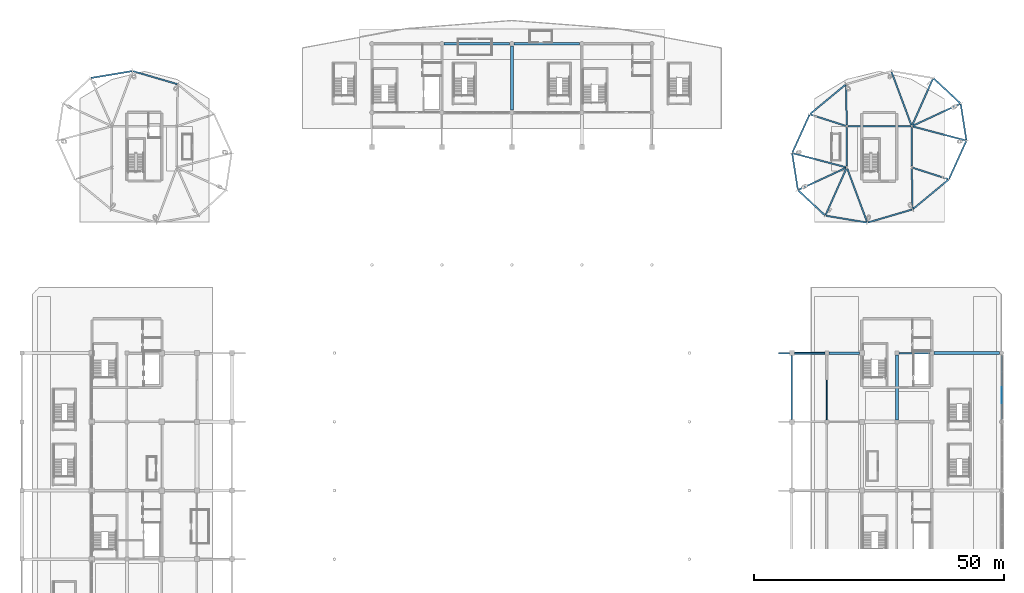
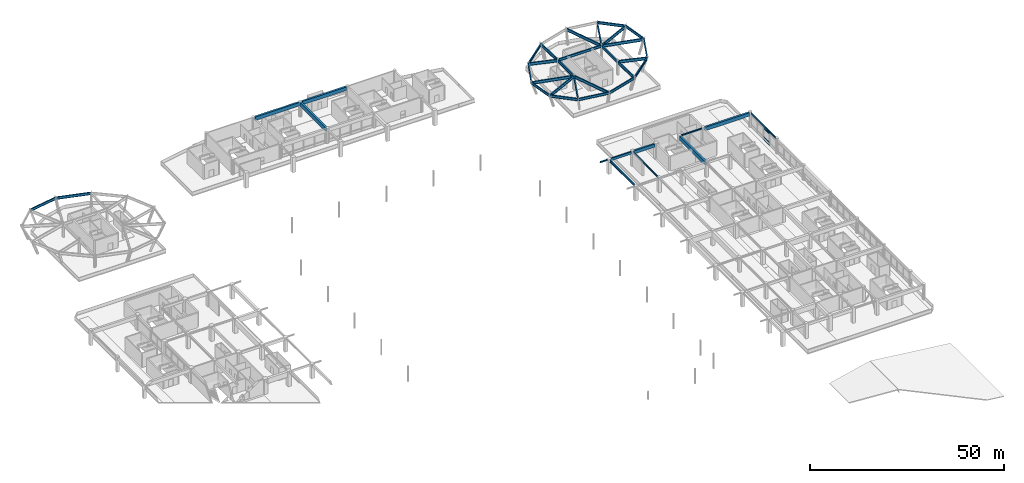
# One storey, part 47 of 91: 39 beams, 3 members, 1 element without a shape of its own.
"""IFC4 building model written with IfcOpenShell, lengths in metres."""

from ifc_helpers import new_model, si_unit, direction, frame, origin, origin_2d, place, context, subcontext, project, spatial, rectangle, hollow_rectangle, i_section, extrude, material, material_profile, profile_set, type_object, element, aggregate, save


model = new_model("IFC4")

# Units and contexts
model_context = context("Model", 3, precision=1e-05, world=origin(), true_north=direction((0.0, 1.0)))
body_context = subcontext(model_context, "Body", "Model", "MODEL_VIEW")
ifc_project = project(units=[si_unit("LENGTHUNIT", "METRE"), si_unit("AREAUNIT", "SQUARE_METRE"), si_unit("VOLUMEUNIT", "CUBIC_METRE"), si_unit("PLANEANGLEUNIT", "RADIAN"), si_unit("MASSUNIT", "GRAM", prefix="KILO")], contexts=[model_context])

# Site, building, storey
site_placement = place(None, origin())
site = spatial("IfcSite", under=ifc_project, at=site_placement, CompositionType="ELEMENT")
building_placement = place(site_placement, origin())
building = spatial("IfcBuilding", under=site, at=building_placement, Name="Linyun Crest Stadium", CompositionType="ELEMENT")
storey_placement = place(building_placement, frame((0.0, 0.0, 11.39990234375)))
storey = spatial("IfcBuildingStorey", under=building, at=storey_placement, Name="L03", CompositionType="ELEMENT", Elevation=11.39990234375)

# Beams
ifc_material_1 = material(Name="Concrete C40", Category="concrete")
ifc_material_profile_1 = material_profile(ifc_material_1, rectangle(XDim=0.39990234375, YDim=0.75, at=origin_2d()), Name="RCB 750x400")
ifc_profile_set_1 = profile_set([ifc_material_profile_1], Name="Concrete C40")
beam_type_1 = type_object("IfcBeamType", Name="B03", PredefinedType="BEAM", material=ifc_profile_set_1)
beam_1_placement = place(storey_placement, frame((56.5, 43.375, 4.1650390625), z_axis=(1.0, 0.0, 0.0), x_axis=(0.0, 1.0, 0.0)))
element("IfcBeam", 1, at=beam_1_placement, inside=storey, type_object=beam_type_1, Name="Frame beam B03 L03 631", PredefinedType="BEAM", context=body_context, shape_type="SweptSolid", body=[
    extrude(rectangle(XDim=0.39990234375, YDim=0.75, at=origin_2d()), origin(), (0.0, 0.0, 1.0), 6.10009765625),
])
ifc_material_2 = material(Name="Concrete C40", Category="concrete")
ifc_material_profile_2 = material_profile(ifc_material_2, rectangle(XDim=0.5, YDim=1.0, at=origin_2d()), Name="RCB 1000x500")
ifc_profile_set_2 = profile_set([ifc_material_profile_2], Name="Concrete C40")
beam_type_2 = type_object("IfcBeamType", Name="B05", PredefinedType="BEAM", material=ifc_profile_set_2)
beam_2_placement = place(storey_placement, frame((63.39990234375, 43.375, 4.080078125), z_axis=(1.0, 0.0, 0.0), x_axis=(0.0, 1.0, 0.0)))
element("IfcBeam", 2, at=beam_2_placement, inside=storey, type_object=beam_type_2, Name="Frame beam B05 L03 632", PredefinedType="BEAM", context=body_context, shape_type="SweptSolid", body=[
    extrude(rectangle(XDim=0.5, YDim=1.0, at=origin_2d()), origin(), (0.0, 0.0, 1.0), 6.10009765625),
])
ifc_material_3 = material(Name="Steel Q355C", Category="steel")
ifc_material_profile_3 = material_profile(ifc_material_3, i_section(OverallWidth=0.300048828125, OverallDepth=0.389892578125, WebThickness=0.010009765625, FlangeThickness=0.01611328125, at=origin_2d()), Name="HM 390x300")
ifc_profile_set_3 = profile_set([ifc_material_profile_3], Name="Steel Q355C")
beam_type_3 = type_object("IfcBeamType", Name="B06", PredefinedType="BEAM", material=ifc_profile_set_3)
beam_3_placement = place(storey_placement, frame((77.39990234375, 43.375, 4.385009765625), z_axis=(1.0, 0.0, 0.0), x_axis=(0.0, 1.0, 0.0)))
element("IfcBeam", 3, at=beam_3_placement, inside=storey, type_object=beam_type_3, Name="Frame beam B06 L03 633", PredefinedType="BEAM", context=body_context, shape_type="SweptSolid", body=[
    extrude(i_section(OverallWidth=0.300048828125, OverallDepth=0.389892578125, WebThickness=0.010009765625, FlangeThickness=0.01611328125, at=origin_2d()), origin(), (0.0, 0.0, 1.0), 6.2001953125),
])
beam_4_placement = place(storey_placement, frame((55.5, 43.375, 4.34521484375), z_axis=(-1.0, 0.0, 0.0), x_axis=(0.0, -1.0, 0.0)))
element("IfcBeam", 4, at=beam_4_placement, inside=storey, type_object=beam_type_3, Name="Balcony bracket beam B06 L03 641", PredefinedType="BEAM", context=body_context, shape_type="SweptSolid", body=[
    extrude(i_section(OverallWidth=0.300048828125, OverallDepth=0.389892578125, WebThickness=0.010009765625, FlangeThickness=0.01611328125, at=origin_2d()), origin(), (0.0, 0.0, 1.0), 2.199951171875),
])
ifc_material_4 = material(Name="Steel Q355C", Category="steel")
ifc_material_profile_4 = material_profile(ifc_material_4, i_section(OverallWidth=0.300048828125, OverallDepth=0.43994140625, WebThickness=0.010986328125, FlangeThickness=0.01806640625, at=origin_2d()), Name="HM 440x300")
ifc_profile_set_4 = profile_set([ifc_material_profile_4], Name="Steel Q355C")
beam_type_4 = type_object("IfcBeamType", Name="B07", PredefinedType="BEAM", material=ifc_profile_set_4)
beam_5_placement = place(storey_placement, frame((98.0, 30.074951171875, 4.360107421875), z_axis=(0.0, 1.0, 0.0), x_axis=(-1.0, 0.0, 0.0)))
element("IfcBeam", 5, at=beam_5_placement, inside=storey, type_object=beam_type_4, Name="Frame beam B07 L03 677", PredefinedType="BEAM", context=body_context, shape_type="SweptSolid", body=[
    extrude(i_section(OverallWidth=0.300048828125, OverallDepth=0.43994140625, WebThickness=0.010986328125, FlangeThickness=0.01806640625, at=origin_2d()), origin(), (0.0, 0.0, 1.0), 12.85009765625),
])
ifc_material_5 = material(Name="Steel Q355C", Category="steel")
ifc_material_profile_5 = material_profile(ifc_material_5, i_section(OverallWidth=0.199951171875, OverallDepth=0.60009765625, WebThickness=0.010986328125, FlangeThickness=0.01708984375, at=origin_2d()), Name="HN 600x200")
ifc_profile_set_5 = profile_set([ifc_material_profile_5], Name="Steel Q355C")
beam_type_5 = type_object("IfcBeamType", Name="B11", PredefinedType="BEAM", material=ifc_profile_set_5)
beam_6_placement = place(storey_placement, frame((63.0, 30.02490234375, 4.280029296875), z_axis=(0.0, 1.0, 0.0), x_axis=(-1.0, 0.0, 0.0)))
element("IfcBeam", 6, at=beam_6_placement, inside=storey, type_object=beam_type_5, Name="Frame beam B11 L03 655", PredefinedType="BEAM", context=body_context, shape_type="SweptSolid", body=[
    extrude(i_section(OverallWidth=0.199951171875, OverallDepth=0.60009765625, WebThickness=0.010986328125, FlangeThickness=0.01708984375, at=origin_2d()), origin(), (0.0, 0.0, 1.0), 12.9501953125),
])
ifc_material_6 = material(Name="Steel Q355C", Category="steel")
ifc_material_profile_6 = material_profile(ifc_material_6, i_section(OverallWidth=0.300048828125, OverallDepth=0.699951171875, WebThickness=0.012939453125, FlangeThickness=0.02392578125, at=origin_2d()), Name="HN 700x300")
ifc_profile_set_6 = profile_set([ifc_material_profile_6], Name="Steel Q355C")
beam_type_6 = type_object("IfcBeamType", Name="B12", PredefinedType="BEAM", material=ifc_profile_set_6)
beam_7_placement = place(storey_placement, frame((56.0, 30.125, 4.190185546875), z_axis=(0.0, 1.0, 0.0), x_axis=(-1.0, 0.0, 0.0)))
element("IfcBeam", 7, at=beam_7_placement, inside=storey, type_object=beam_type_6, Name="Frame beam B12 L03 648", PredefinedType="BEAM", context=body_context, shape_type="SweptSolid", body=[
    extrude(i_section(OverallWidth=0.300048828125, OverallDepth=0.699951171875, WebThickness=0.012939453125, FlangeThickness=0.02392578125, at=origin_2d()), origin(), (0.0, 0.0, 1.0), 12.75),
])
ifc_material_7 = material(Name="Concrete C50", Category="concrete")
ifc_material_profile_7 = material_profile(ifc_material_7, rectangle(XDim=0.550048828125, YDim=1.10009765625, at=origin_2d()), Name="RCB 1100x550")
ifc_profile_set_7 = profile_set([ifc_material_profile_7], Name="Concrete C50")
beam_type_7 = type_object("IfcBeamType", Name="TB01", PredefinedType="USERDEFINED", material=ifc_profile_set_7)
beam_8_placement = place(storey_placement, frame((84.39990234375, 43.375, 4.030029296875), z_axis=(1.0, 0.0, 0.0), x_axis=(0.0, 1.0, 0.0)))
element("IfcBeam", 8, at=beam_8_placement, inside=storey, type_object=beam_type_7, Name="Frame beam TB01 L03 634", ObjectType="GIRDER", PredefinedType="USERDEFINED", context=body_context, shape_type="SweptSolid", body=[
    extrude(rectangle(XDim=0.550048828125, YDim=1.10009765625, at=origin_2d()), origin(), (0.0, 0.0, 1.0), 13.150146484375),
])
for number, where, z_axis, x_axis, name in (
    (9, (-13.550048828125, 105.25, 4.050048828125), (1.0, 0.0, 0.0), (0.0, 1.0, 0.0), "Frame beam TB01 L03 802"),
    (10, (0.449951171875, 105.25, 4.050048828125), (1.0, 0.0, 0.0), (0.0, 1.0, 0.0), "Frame beam TB01 L03 803"),
):
    element("IfcBeam", number, at=place(storey_placement, frame(where, z_axis=z_axis, x_axis=x_axis)), inside=storey, type_object=beam_type_7, Name=name, ObjectType="GIRDER", PredefinedType="USERDEFINED", context=body_context, shape_type="SweptSolid", body=[
        extrude(rectangle(XDim=0.550048828125, YDim=1.10009765625, at=origin_2d()), origin(), (0.0, 0.0, 1.0), 13.10009765625),
    ])
ifc_material_8 = material(Name="Concrete C50", Category="concrete")
ifc_material_profile_8 = material_profile(ifc_material_8, rectangle(XDim=0.60009765625, YDim=1.199951171875, at=origin_2d()), Name="RCB 1200x600")
ifc_profile_set_8 = profile_set([ifc_material_profile_8], Name="Concrete C50")
beam_type_8 = type_object("IfcBeamType", Name="TB02", PredefinedType="USERDEFINED", material=ifc_profile_set_8)
beam_9_placement = place(storey_placement, frame((77.0, 30.02490234375, 3.97998046875), z_axis=(0.0, 1.0, 0.0), x_axis=(-1.0, 0.0, 0.0)))
element("IfcBeam", 11, at=beam_9_placement, inside=storey, type_object=beam_type_8, Name="Frame beam TB02 L03 666", ObjectType="GIRDER", PredefinedType="USERDEFINED", context=body_context, shape_type="SweptSolid", body=[
    extrude(rectangle(XDim=0.60009765625, YDim=1.199951171875, at=origin_2d()), origin(), (0.0, 0.0, 1.0), 12.9501953125),
])
beam_10_placement = place(storey_placement, frame((0.0, 91.949951171875, 4.0), z_axis=(0.0, 1.0, 0.0), x_axis=(-1.0, 0.0, 0.0)))
element("IfcBeam", 12, at=beam_10_placement, inside=storey, type_object=beam_type_8, Name="Frame beam TB02 L03 807", ObjectType="GIRDER", PredefinedType="USERDEFINED", context=body_context, shape_type="SweptSolid", body=[
    extrude(rectangle(XDim=0.60009765625, YDim=1.199951171875, at=origin_2d()), origin(), (0.0, 0.0, 1.0), 12.85009765625),
])
ifc_material_9 = material(Name="Steel Q420C", Category="steel")
ifc_material_profile_9 = material_profile(ifc_material_9, i_section(OverallWidth=0.300048828125, OverallDepth=0.800048828125, WebThickness=0.013916015625, FlangeThickness=0.02587890625, at=origin_2d()), Name="HN 800x300")
ifc_profile_set_9 = profile_set([ifc_material_profile_9], Name="Steel Q420C")
beam_type_9 = type_object("IfcBeamType", Name="TB04", PredefinedType="USERDEFINED", material=ifc_profile_set_9)
beam_11_placement = place(storey_placement, frame((-66.9599609375, 97.177001953125, 4.080078125), z_axis=(-0.959663931596, 0.281149672583, 0.0), x_axis=(-0.281149672583, -0.959663931596, 0.0)))
element("IfcBeam", 13, at=beam_11_placement, inside=storey, type_object=beam_type_9, Name="Pod ring girder TB04 L03 7", ObjectType="GIRDER", PredefinedType="USERDEFINED", context=body_context, shape_type="SweptSolid", body=[
    extrude(i_section(OverallWidth=0.300048828125, OverallDepth=0.800048828125, WebThickness=0.013916015625, FlangeThickness=0.02587890625, at=origin_2d()), origin(), (0.0, 0.0, 1.0), 9.180419921875),
])
beam_12_placement = place(storey_placement, frame((-76.0029296875, 99.77197265625, 4.080078125), z_axis=(-0.986405870854, -0.164327289108, 0.0), x_axis=(0.164327289108, -0.986405870854, 0.0)))
element("IfcBeam", 14, at=beam_12_placement, inside=storey, type_object=beam_type_9, Name="Pod ring girder TB04 L03 9", ObjectType="GIRDER", PredefinedType="USERDEFINED", context=body_context, shape_type="SweptSolid", body=[
    extrude(i_section(OverallWidth=0.300048828125, OverallDepth=0.800048828125, WebThickness=0.013916015625, FlangeThickness=0.02587890625, at=origin_2d()), origin(), (0.0, 0.0, 1.0), 8.28271484375),
])
beam_13_placement = place(storey_placement, frame((89.693115234375, 93.363037109375, 4.080078125), z_axis=(-0.732008474999, 0.681295525107, 0.0), x_axis=(-0.681295525107, -0.732008474999, 0.0)))
element("IfcBeam", 15, at=beam_13_placement, inside=storey, type_object=beam_type_9, Name="Pod ring girder TB04 L03 97", ObjectType="GIRDER", PredefinedType="USERDEFINED", context=body_context, shape_type="SweptSolid", body=[
    extrude(i_section(OverallWidth=0.300048828125, OverallDepth=0.800048828125, WebThickness=0.013916015625, FlangeThickness=0.02587890625, at=origin_2d()), origin(), (0.0, 0.0, 1.0), 7.259765625),
])
beam_14_placement = place(storey_placement, frame((66.75390625, 97.06396484375, 4.080078125), z_axis=(-0.770704739835, -0.637192438747, 0.0), x_axis=(0.637192438747, -0.770704739835, 0.0)))
element("IfcBeam", 16, at=beam_14_placement, inside=storey, type_object=beam_type_9, Name="Pod ring girder TB04 L03 103", ObjectType="GIRDER", PredefinedType="USERDEFINED", context=body_context, shape_type="SweptSolid", body=[
    extrude(i_section(OverallWidth=0.300048828125, OverallDepth=0.800048828125, WebThickness=0.013916015625, FlangeThickness=0.02587890625, at=origin_2d()), origin(), (0.0, 0.0, 1.0), 9.188720703125),
])
beam_15_placement = place(storey_placement, frame((59.530029296875, 91.02392578125, 4.080078125), z_axis=(-0.412524185908, -0.910946648295, 0.0), x_axis=(0.910946648295, -0.412524185908, 0.0)))
element("IfcBeam", 17, at=beam_15_placement, inside=storey, type_object=beam_type_9, Name="Pod ring girder TB04 L03 105", ObjectType="GIRDER", PredefinedType="USERDEFINED", context=body_context, shape_type="SweptSolid", body=[
    extrude(i_section(OverallWidth=0.300048828125, OverallDepth=0.800048828125, WebThickness=0.013916015625, FlangeThickness=0.02587890625, at=origin_2d()), origin(), (0.0, 0.0, 1.0), 8.273681640625),
])
beam_16_placement = place(storey_placement, frame((56.0849609375, 83.259033203125, 4.080078125), z_axis=(0.153768317027, -0.98810692978, 0.0), x_axis=(0.98810692978, 0.153768317027, 0.0)))
element("IfcBeam", 18, at=beam_16_placement, inside=storey, type_object=beam_type_9, Name="Pod ring girder TB04 L03 107", ObjectType="GIRDER", PredefinedType="USERDEFINED", context=body_context, shape_type="SweptSolid", body=[
    extrude(i_section(OverallWidth=0.300048828125, OverallDepth=0.800048828125, WebThickness=0.013916015625, FlangeThickness=0.02587890625, at=origin_2d()), origin(), (0.0, 0.0, 1.0), 7.257568359375),
])
beam_17_placement = place(storey_placement, frame((57.306884765625, 75.886962890625, 4.080078125), z_axis=(0.732008474999, -0.681295525107, 0.0), x_axis=(0.681295525107, 0.732008474999, 0.0)))
element("IfcBeam", 19, at=beam_17_placement, inside=storey, type_object=beam_type_9, Name="Pod ring girder TB04 L03 109", ObjectType="GIRDER", PredefinedType="USERDEFINED", context=body_context, shape_type="SweptSolid", body=[
    extrude(i_section(OverallWidth=0.300048828125, OverallDepth=0.800048828125, WebThickness=0.013916015625, FlangeThickness=0.02587890625, at=origin_2d()), origin(), (0.0, 0.0, 1.0), 7.259765625),
])
beam_18_placement = place(storey_placement, frame((62.826904296875, 70.839111328125, 4.080078125), z_axis=(0.986326122979, -0.164805276399, 0.0), x_axis=(0.164805276399, 0.986326122979, 0.0)))
element("IfcBeam", 20, at=beam_18_placement, inside=storey, type_object=beam_type_9, Name="Pod ring girder TB04 L03 111", ObjectType="GIRDER", PredefinedType="USERDEFINED", context=body_context, shape_type="SweptSolid", body=[
    extrude(i_section(OverallWidth=0.300048828125, OverallDepth=0.800048828125, WebThickness=0.013916015625, FlangeThickness=0.02587890625, at=origin_2d()), origin(), (0.0, 0.0, 1.0), 8.282470703125),
])
beam_19_placement = place(storey_placement, frame((71.22900390625, 69.488037109375, 4.080078125), z_axis=(0.959462821713, 0.281835224468, 0.0), x_axis=(-0.281835224468, 0.959462821713, 0.0)))
element("IfcBeam", 21, at=beam_19_placement, inside=storey, type_object=beam_type_9, Name="Pod ring girder TB04 L03 113", ObjectType="GIRDER", PredefinedType="USERDEFINED", context=body_context, shape_type="SweptSolid", body=[
    extrude(i_section(OverallWidth=0.300048828125, OverallDepth=0.800048828125, WebThickness=0.013916015625, FlangeThickness=0.02587890625, at=origin_2d()), origin(), (0.0, 0.0, 1.0), 9.182373046875),
])
beam_20_placement = place(storey_placement, frame((80.24609375, 72.18603515625, 4.080078125), z_axis=(0.770704739835, 0.637192438747, 0.0), x_axis=(-0.637192438747, 0.770704739835, 0.0)))
element("IfcBeam", 22, at=beam_20_placement, inside=storey, type_object=beam_type_9, Name="Pod ring girder TB04 L03 115", ObjectType="GIRDER", PredefinedType="USERDEFINED", context=body_context, shape_type="SweptSolid", body=[
    extrude(i_section(OverallWidth=0.300048828125, OverallDepth=0.800048828125, WebThickness=0.013916015625, FlangeThickness=0.02587890625, at=origin_2d()), origin(), (0.0, 0.0, 1.0), 9.188720703125),
])
beam_21_placement = place(storey_placement, frame((87.469970703125, 78.22607421875, 4.080078125), z_axis=(0.412524185908, 0.910946648295, 0.0), x_axis=(-0.910946648295, 0.412524185908, 0.0)))
element("IfcBeam", 23, at=beam_21_placement, inside=storey, type_object=beam_type_9, Name="Pod ring girder TB04 L03 117", ObjectType="GIRDER", PredefinedType="USERDEFINED", context=body_context, shape_type="SweptSolid", body=[
    extrude(i_section(OverallWidth=0.300048828125, OverallDepth=0.800048828125, WebThickness=0.013916015625, FlangeThickness=0.02587890625, at=origin_2d()), origin(), (0.0, 0.0, 1.0), 8.273681640625),
])
beam_22_placement = place(storey_placement, frame((90.9150390625, 85.990966796875, 4.080078125), z_axis=(-0.153768317027, 0.98810692978, 0.0), x_axis=(-0.98810692978, -0.153768317027, 0.0)))
element("IfcBeam", 24, at=beam_22_placement, inside=storey, type_object=beam_type_9, Name="Pod ring girder TB04 L03 119", ObjectType="GIRDER", PredefinedType="USERDEFINED", context=body_context, shape_type="SweptSolid", body=[
    extrude(i_section(OverallWidth=0.300048828125, OverallDepth=0.800048828125, WebThickness=0.013916015625, FlangeThickness=0.02587890625, at=origin_2d()), origin(), (0.0, 0.0, 1.0), 7.257568359375),
])
beam_23_placement = place(storey_placement, frame((67.2041015625, 88.75, 4.080078125), z_axis=(1.0, 0.0, 0.0), x_axis=(0.0, 1.0, 0.0)))
element("IfcBeam", 25, at=beam_23_placement, inside=storey, type_object=beam_type_9, Name="Frame beam TB04 L03 966", ObjectType="GIRDER", PredefinedType="USERDEFINED", context=body_context, shape_type="SweptSolid", body=[
    extrude(i_section(OverallWidth=0.300048828125, OverallDepth=0.800048828125, WebThickness=0.013916015625, FlangeThickness=0.02587890625, at=origin_2d()), origin(), (0.0, 0.0, 1.0), 12.591796875),
])
ifc_material_10 = material(Name="Steel Q420C", Category="steel")
ifc_material_profile_10 = material_profile(ifc_material_10, i_section(OverallWidth=0.300048828125, OverallDepth=0.89990234375, WebThickness=0.01611328125, FlangeThickness=0.028076171875, at=origin_2d()), Name="HN 900x300")
ifc_profile_set_10 = profile_set([ifc_material_profile_10], Name="Steel Q420C")
beam_type_10 = type_object("IfcBeamType", Name="TB05", PredefinedType="USERDEFINED", material=ifc_profile_set_10)
beam_24_placement = place(storey_placement, frame((80.180908203125, 88.833984375, 4.030029296875), z_axis=(0.907354236473, 0.42036685116, 0.0), x_axis=(-0.42036685116, 0.907354236473, 0.0)))
element("IfcBeam", 26, at=beam_24_placement, inside=storey, type_object=beam_type_10, Name="Pod radial tie girder TB05 L03 98", ObjectType="GIRDER", PredefinedType="USERDEFINED", context=body_context, shape_type="SweptSolid", body=[
    extrude(i_section(OverallWidth=0.300048828125, OverallDepth=0.89990234375, WebThickness=0.01611328125, FlangeThickness=0.028076171875, at=origin_2d()), origin(), (0.0, 0.0, 1.0), 10.35986328125),
])
beam_25_placement = place(storey_placement, frame((80.0810546875, 88.93310546875, 4.030029296875), z_axis=(0.406690577567, 0.913565965937, 0.0), x_axis=(-0.913565965937, 0.406690577567, 0.0)))
element("IfcBeam", 27, at=beam_25_placement, inside=storey, type_object=beam_type_10, Name="Pod radial tie girder TB05 L03 100", ObjectType="GIRDER", PredefinedType="USERDEFINED", context=body_context, shape_type="SweptSolid", body=[
    extrude(i_section(OverallWidth=0.300048828125, OverallDepth=0.89990234375, WebThickness=0.01611328125, FlangeThickness=0.028076171875, at=origin_2d()), origin(), (0.0, 0.0, 1.0), 10.132568359375),
])
beam_26_placement = place(storey_placement, frame((79.929931640625, 88.93701171875, 4.030029296875), z_axis=(-0.348973677641, 0.937132526548, 0.0), x_axis=(-0.937132526548, -0.348973677641, 0.0)))
element("IfcBeam", 28, at=beam_26_placement, inside=storey, type_object=beam_type_10, Name="Pod radial tie girder TB05 L03 102", ObjectType="GIRDER", PredefinedType="USERDEFINED", context=body_context, shape_type="SweptSolid", body=[
    extrude(i_section(OverallWidth=0.300048828125, OverallDepth=0.89990234375, WebThickness=0.01611328125, FlangeThickness=0.028076171875, at=origin_2d()), origin(), (0.0, 0.0, 1.0), 11.36767578125),
])
beam_27_placement = place(storey_placement, frame((66.99609375, 88.949951171875, 4.030029296875), z_axis=(-0.018315199665, 0.999832262663, 0.0), x_axis=(-0.999832262663, -0.018315199665, 0.0)))
element("IfcBeam", 29, at=beam_27_placement, inside=storey, type_object=beam_type_10, Name="Pod radial tie girder TB05 L03 104", ObjectType="GIRDER", PredefinedType="USERDEFINED", context=body_context, shape_type="SweptSolid", body=[
    extrude(i_section(OverallWidth=0.300048828125, OverallDepth=0.89990234375, WebThickness=0.01611328125, FlangeThickness=0.028076171875, at=origin_2d()), origin(), (0.0, 0.0, 1.0), 7.97119140625),
])
beam_28_placement = place(storey_placement, frame((66.81005859375, 88.81103515625, 4.030029296875), z_axis=(-0.952102250226, 0.305779831111, 0.0), x_axis=(-0.305779831111, -0.952102250226, 0.0)))
element("IfcBeam", 30, at=beam_28_placement, inside=storey, type_object=beam_type_10, Name="Pod radial tie girder TB05 L03 106", ObjectType="GIRDER", PredefinedType="USERDEFINED", context=body_context, shape_type="SweptSolid", body=[
    extrude(i_section(OverallWidth=0.300048828125, OverallDepth=0.89990234375, WebThickness=0.01611328125, FlangeThickness=0.028076171875, at=origin_2d()), origin(), (0.0, 0.0, 1.0), 7.374267578125),
])
beam_29_placement = place(storey_placement, frame((66.806884765625, 80.551025390625, 4.030029296875), z_axis=(-0.967057103787, 0.254559537269, 0.0), x_axis=(-0.254559537269, -0.967057103787, 0.0)))
element("IfcBeam", 31, at=beam_29_placement, inside=storey, type_object=beam_type_10, Name="Pod radial tie girder TB05 L03 108", ObjectType="GIRDER", PredefinedType="USERDEFINED", context=body_context, shape_type="SweptSolid", body=[
    extrude(i_section(OverallWidth=0.300048828125, OverallDepth=0.89990234375, WebThickness=0.01611328125, FlangeThickness=0.028076171875, at=origin_2d()), origin(), (0.0, 0.0, 1.0), 10.885498046875),
])
beam_30_placement = place(storey_placement, frame((66.819091796875, 80.416015625, 4.030029296875), z_axis=(-0.907354236473, -0.42036685116, 0.0), x_axis=(0.42036685116, -0.907354236473, 0.0)))
element("IfcBeam", 32, at=beam_30_placement, inside=storey, type_object=beam_type_10, Name="Pod radial tie girder TB05 L03 110", ObjectType="GIRDER", PredefinedType="USERDEFINED", context=body_context, shape_type="SweptSolid", body=[
    extrude(i_section(OverallWidth=0.300048828125, OverallDepth=0.89990234375, WebThickness=0.01611328125, FlangeThickness=0.028076171875, at=origin_2d()), origin(), (0.0, 0.0, 1.0), 10.35986328125),
])
beam_31_placement = place(storey_placement, frame((66.9189453125, 80.31689453125, 4.030029296875), z_axis=(-0.406690577567, -0.913565965937, 0.0), x_axis=(0.913565965937, -0.406690577567, 0.0)))
element("IfcBeam", 33, at=beam_31_placement, inside=storey, type_object=beam_type_10, Name="Pod radial tie girder TB05 L03 112", ObjectType="GIRDER", PredefinedType="USERDEFINED", context=body_context, shape_type="SweptSolid", body=[
    extrude(i_section(OverallWidth=0.300048828125, OverallDepth=0.89990234375, WebThickness=0.01611328125, FlangeThickness=0.028076171875, at=origin_2d()), origin(), (0.0, 0.0, 1.0), 10.132568359375),
])
beam_32_placement = place(storey_placement, frame((67.070068359375, 80.31298828125, 4.030029296875), z_axis=(0.348973677641, -0.937132526548, 0.0), x_axis=(0.937132526548, 0.348973677641, 0.0)))
element("IfcBeam", 34, at=beam_32_placement, inside=storey, type_object=beam_type_10, Name="Pod radial tie girder TB05 L03 114", ObjectType="GIRDER", PredefinedType="USERDEFINED", context=body_context, shape_type="SweptSolid", body=[
    extrude(i_section(OverallWidth=0.300048828125, OverallDepth=0.89990234375, WebThickness=0.01611328125, FlangeThickness=0.028076171875, at=origin_2d()), origin(), (0.0, 0.0, 1.0), 11.36767578125),
])
beam_33_placement = place(storey_placement, frame((80.00390625, 80.300048828125, 4.030029296875), z_axis=(0.018315199665, -0.999832262663, 0.0), x_axis=(0.999832262663, 0.018315199665, 0.0)))
element("IfcBeam", 35, at=beam_33_placement, inside=storey, type_object=beam_type_10, Name="Pod radial tie girder TB05 L03 116", ObjectType="GIRDER", PredefinedType="USERDEFINED", context=body_context, shape_type="SweptSolid", body=[
    extrude(i_section(OverallWidth=0.300048828125, OverallDepth=0.89990234375, WebThickness=0.01611328125, FlangeThickness=0.028076171875, at=origin_2d()), origin(), (0.0, 0.0, 1.0), 7.97119140625),
])
beam_34_placement = place(storey_placement, frame((80.18994140625, 80.43896484375, 4.030029296875), z_axis=(0.952102250226, -0.305779831111, 0.0), x_axis=(0.305779831111, 0.952102250226, 0.0)))
element("IfcBeam", 36, at=beam_34_placement, inside=storey, type_object=beam_type_10, Name="Pod radial tie girder TB05 L03 118", ObjectType="GIRDER", PredefinedType="USERDEFINED", context=body_context, shape_type="SweptSolid", body=[
    extrude(i_section(OverallWidth=0.300048828125, OverallDepth=0.89990234375, WebThickness=0.01611328125, FlangeThickness=0.028076171875, at=origin_2d()), origin(), (0.0, 0.0, 1.0), 7.374267578125),
])
beam_35_placement = place(storey_placement, frame((80.193115234375, 88.698974609375, 4.030029296875), z_axis=(0.967057103787, -0.254559537269, 0.0), x_axis=(0.254559537269, 0.967057103787, 0.0)))
element("IfcBeam", 37, at=beam_35_placement, inside=storey, type_object=beam_type_10, Name="Pod radial tie girder TB05 L03 120", ObjectType="GIRDER", PredefinedType="USERDEFINED", context=body_context, shape_type="SweptSolid", body=[
    extrude(i_section(OverallWidth=0.300048828125, OverallDepth=0.89990234375, WebThickness=0.01611328125, FlangeThickness=0.028076171875, at=origin_2d()), origin(), (0.0, 0.0, 1.0), 10.885498046875),
])
for number, where, z_axis, x_axis, name in (
    (38, (67.0, 80.7490234375, 4.030029296875), (0.0, 1.0, 0.0), (-1.0, 0.0, 0.0), "Frame beam TB05 L03 969"),
    (39, (80.0, 80.7490234375, 4.030029296875), (0.0, 1.0, 0.0), (-1.0, 0.0, 0.0), "Frame beam TB05 L03 970"),
):
    element("IfcBeam", number, at=place(storey_placement, frame(where, z_axis=z_axis, x_axis=x_axis)), inside=storey, type_object=beam_type_10, Name=name, ObjectType="GIRDER", PredefinedType="USERDEFINED", context=body_context, shape_type="SweptSolid", body=[
        extrude(i_section(OverallWidth=0.300048828125, OverallDepth=0.89990234375, WebThickness=0.01611328125, FlangeThickness=0.028076171875, at=origin_2d()), origin(), (0.0, 0.0, 1.0), 7.786865234375),
    ])

# Curtain wall, members
ifc_material_11 = material(Name="Verdigris steel and low-E curtain wall assembly", Category="steel")
curtain_wall_type = type_object("IfcCurtainWallType", Name="MCW02", PredefinedType="NOTDEFINED", material=ifc_material_11)
curtain_wall_placement = place(storey_placement, origin())
curtain_wall = element("IfcCurtainWall", 40, at=curtain_wall_placement, inside=storey, type_object=curtain_wall_type, Name="CWR-124", PredefinedType="NOTDEFINED")
ifc_material_12 = material(Name="Verdigris painted steel Q355B transom", Category="steel")
ifc_material_profile_11 = material_profile(ifc_material_12, hollow_rectangle(XDim=0.080078125, YDim=0.179931640625, WallThickness=0.006103515625, at=origin_2d()), Name="RHS 180x80x6")
ifc_profile_set_11 = profile_set([ifc_material_profile_11], Name="Verdigris painted steel Q355B transom")
member_type = type_object("IfcMemberType", Name="TR02", PredefinedType="USERDEFINED", material=ifc_profile_set_11)
member_1_placement = place(storey_placement, frame((98.0, 33.337890625, 0.0), z_axis=(0.0, 1.0, 0.0), x_axis=(-1.0, 0.0, 0.0)))
member_1 = element("IfcMember", 41, at=member_1_placement, type_object=member_type, Name="CWR-124 transom 2.1", ObjectType="TRANSOM", PredefinedType="USERDEFINED", context=body_context, shape_type="SweptSolid", body=[
    extrude(hollow_rectangle(XDim=0.080078125, YDim=0.179931640625, WallThickness=0.006103515625, at=origin_2d()), origin(), (0.0, 0.0, 1.0), 3.162109375),
])
member_2_placement = place(storey_placement, frame((98.0, 33.337890625, 0.9501953125), z_axis=(0.0, 1.0, 0.0), x_axis=(-1.0, 0.0, 0.0)))
member_2 = element("IfcMember", 42, at=member_2_placement, type_object=member_type, Name="CWR-124 transom 2.2", ObjectType="TRANSOM", PredefinedType="USERDEFINED", context=body_context, shape_type="SweptSolid", body=[
    extrude(hollow_rectangle(XDim=0.080078125, YDim=0.179931640625, WallThickness=0.006103515625, at=origin_2d()), origin(), (0.0, 0.0, 1.0), 3.162109375),
])
member_3_placement = place(storey_placement, frame((98.0, 33.337890625, 3.650146484375), z_axis=(0.0, 1.0, 0.0), x_axis=(-1.0, 0.0, 0.0)))
member_3 = element("IfcMember", 43, at=member_3_placement, type_object=member_type, Name="CWR-124 transom 2.3", ObjectType="TRANSOM", PredefinedType="USERDEFINED", context=body_context, shape_type="SweptSolid", body=[
    extrude(hollow_rectangle(XDim=0.080078125, YDim=0.179931640625, WallThickness=0.006103515625, at=origin_2d()), origin(), (0.0, 0.0, 1.0), 3.162109375),
])
aggregate(curtain_wall, [member_1, member_2, member_3])

save(model, "model.ifc")
